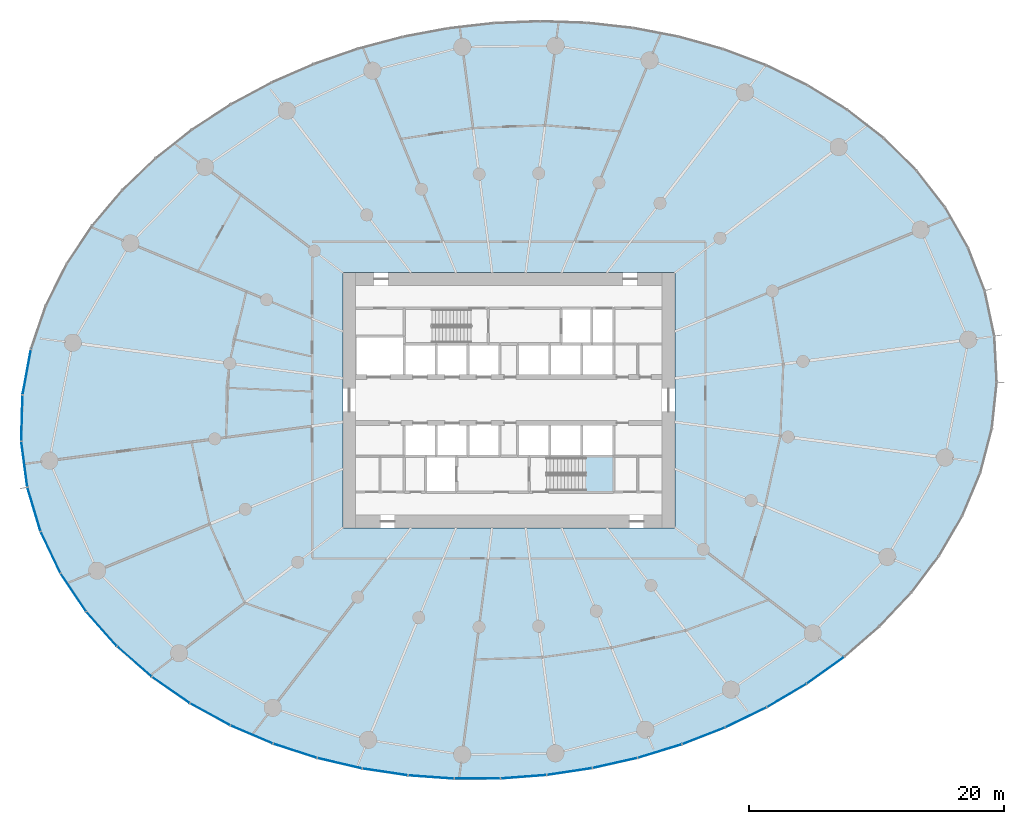
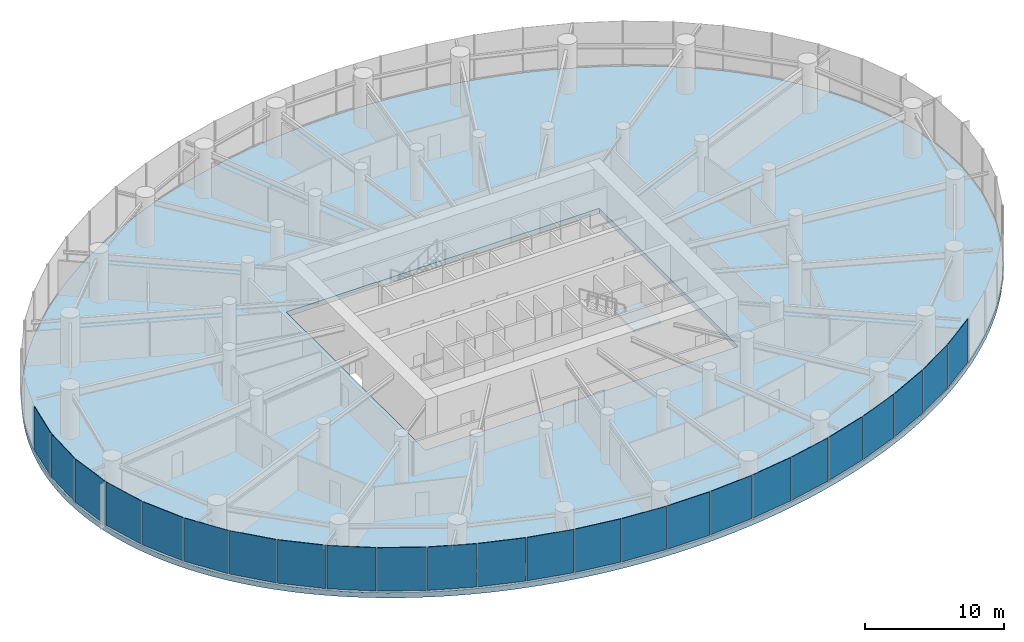
# One storey, part 9 of 18: 24 plates, 2 slabs, 6 elements without a shape of their own.
"""IFC4 building model written with IfcOpenShell, lengths in metres."""

from ifc_helpers import new_model, si_unit, direction, frame, origin, origin_2d, place, context, subcontext, project, spatial, line, indexed_curve, rectangle, outline, extrude, source, transform, mapped, material, layer, layer_set, type_object, element, aggregate, save


model = new_model("IFC4")

# Units and contexts
model_context = context("Model", 3, precision=1e-05, world=origin(), true_north=direction((0.0, 1.0)))
body_context = subcontext(model_context, "Body", "Model", "MODEL_VIEW")
ifc_project = project(units=[si_unit("LENGTHUNIT", "METRE"), si_unit("AREAUNIT", "SQUARE_METRE"), si_unit("VOLUMEUNIT", "CUBIC_METRE"), si_unit("PLANEANGLEUNIT", "RADIAN"), si_unit("MASSUNIT", "GRAM", prefix="KILO")], contexts=[model_context])

# Site, building, storey
site_placement = place(None, origin())
site = spatial("IfcSite", under=ifc_project, at=site_placement, CompositionType="ELEMENT")
building_placement = place(site_placement, origin())
building = spatial("IfcBuilding", under=site, at=building_placement, Name="Spindrift Exchange Tower", CompositionType="ELEMENT")
storey_placement = place(building_placement, frame((0.0, 0.0, 40.199951171875)))
storey = spatial("IfcBuildingStorey", under=building, at=storey_placement, Name="L09", CompositionType="ELEMENT", Elevation=40.199951171875)

# Slab
ifc_material_1 = material(Name="Concrete 50 MPa", Category="concrete")
ifc_layer_1 = layer(ifc_material_1, 0.449951171875)
ifc_layer_set_1 = layer_set([ifc_layer_1], Name="RC Floor Slab 450 Concrete 50 MPa")
slab_type_1 = type_object("IfcSlabType", Name="RC Floor Slab 450 Concrete 50 MPa", PredefinedType="FLOOR", material=ifc_layer_set_1)
slab_1_placement = place(storey_placement, frame((0.0, 0.0, -0.449951171875)))
element("IfcSlab", 1, at=slab_1_placement, inside=storey, type_object=slab_type_1, Name="Floor slab L09", PredefinedType="FLOOR", context=body_context, shape_type="SweptSolid", body=[
    extrude(outline(indexed_curve([(90.019775390625, 53.021484375), (89.93408203125, 53.610107421875), (89.833251953125, 54.196044921875), (89.717041015625, 54.779052734375), (89.585693359375, 55.35888671875), (89.439208984375, 55.935302734375), (89.27783203125, 56.507568359375), (89.101806640625, 57.075439453125), (88.9111328125, 57.638916015625), (88.706298828125, 58.197021484375), (88.4873046875, 58.749755859375), (88.25439453125, 59.296875), (88.0078125, 59.837890625), (87.748291015625, 60.372802734375), (87.475341796875, 60.9013671875), (87.18994140625, 61.4228515625), (86.89208984375, 61.9375), (86.581787109375, 62.44482421875), (86.260009765625, 62.944580078125), (85.926513671875, 63.43701171875), (85.58203125, 63.921630859375), (85.2265625, 64.398193359375), (84.860595703125, 64.866943359375), (84.484130859375, 65.327392578125), (84.097900390625, 65.779541015625), (83.7021484375, 66.22314453125), (83.297119140625, 66.658447265625), (82.883056640625, 67.085205078125), (82.460205078125, 67.50341796875), (82.029052734375, 67.912841796875), (81.58984375, 68.313720703125), (81.142822265625, 68.70556640625), (80.688232421875, 69.0888671875), (80.226318359375, 69.46337890625), (79.757568359375, 69.8291015625), (79.281982421875, 70.186279296875), (78.800048828125, 70.534423828125), (78.311767578125, 70.873779296875), (77.817626953125, 71.20458984375), (77.317626953125, 71.526611328125), (76.812255859375, 71.839599609375), (76.301513671875, 72.144287109375), (75.26513671875, 72.727294921875), (74.739990234375, 73.006103515625), (73.67626953125, 73.537841796875), (73.13818359375, 73.791015625), (72.59619140625, 74.03564453125), (71.50146484375, 74.5), (70.948974609375, 74.7197265625), (69.834228515625, 75.13427734375), (69.272705078125, 75.329345703125), (68.14111328125, 75.695068359375), (66.99951171875, 76.02880859375), (66.425537109375, 76.18359375), (65.849365234375, 76.33056640625), (64.69140625, 76.60107421875), (64.109619140625, 76.724609375), (62.941650390625, 76.948486328125), (62.355712890625, 77.048828125), (61.1796875, 77.22705078125), (60.59033203125, 77.3046875), (59.408447265625, 77.4375), (58.223876953125, 77.540771484375), (57.630615234375, 77.581298828125), (57.036865234375, 77.614501953125), (55.848388671875, 77.65869140625), (55.25390625, 77.669921875), (54.064697265625, 77.6708984375), (52.875732421875, 77.642822265625), (52.28173828125, 77.617919921875), (51.68798828125, 77.586181640625), (50.501708984375, 77.501220703125), (49.318115234375, 77.3876953125), (48.13720703125, 77.24609375), (46.960205078125, 77.076171875), (45.78759765625, 76.87841796875), (44.619873046875, 76.652587890625), (44.038330078125, 76.529296875), (43.4580078125, 76.39892578125), (42.302734375, 76.1171875), (41.727783203125, 75.966064453125), (40.583251953125, 75.642578125), (39.447265625, 75.291259765625), (38.88232421875, 75.10498046875), (38.320068359375, 74.911865234375), (37.20263671875, 74.504638671875), (36.095947265625, 74.069580078125), (35.546875, 73.84130859375), (34.45751953125, 73.3642578125), (33.917724609375, 73.114990234375), (32.847900390625, 72.595703125), (32.318359375, 72.3251953125), (31.792236328125, 72.0478515625), (30.751953125, 71.471923828125), (29.727783203125, 70.86767578125), (29.221923828125, 70.5546875), (28.22412109375, 69.90771484375), (27.732421875, 69.573486328125), (26.763671875, 68.8837890625), (26.287109375, 68.5283203125), (25.350341796875, 67.79541015625), (24.890625, 67.41845703125), (24.436767578125, 67.034423828125), (23.547607421875, 66.24462890625), (22.6845703125, 65.426513671875), (22.26318359375, 65.0068359375), (21.84912109375, 64.580078125), (21.4423828125, 64.146484375), (21.043212890625, 63.705810546875), (20.65185546875, 63.25830078125), (20.268310546875, 62.8037109375), (19.893310546875, 62.34228515625), (19.52685546875, 61.8740234375), (19.1689453125, 61.399169921875), (18.8203125, 60.91748046875), (18.480712890625, 60.42919921875), (18.15087890625, 59.9345703125), (17.830810546875, 59.43359375), (17.5205078125, 58.92626953125), (17.220947265625, 58.41259765625), (16.931884765625, 57.89306640625), (16.653564453125, 57.367431640625), (16.38671875, 56.836181640625), (16.131103515625, 56.29931640625), (15.88720703125, 55.757080078125), (15.655517578125, 55.20947265625), (15.435791015625, 54.656982421875), (15.22900390625, 54.099365234375), (15.03466796875, 53.537353515625), (14.853759765625, 52.970947265625), (14.68603515625, 52.400634765625), (14.53173828125, 51.826416015625), (14.3916015625, 51.24853515625), (14.265380859375, 50.66748046875), (14.1533203125, 50.08349609375), (14.055908203125, 49.496826171875), (13.97314453125, 48.907958984375), (13.905029296875, 48.3173828125), (13.852294921875, 47.72509765625), (13.814208984375, 47.131591796875), (13.791748046875, 46.53759765625), (13.784423828125, 45.94287109375), (13.79248046875, 45.348388671875), (13.81640625, 44.75439453125), (13.85546875, 44.160888671875), (13.91015625, 43.56884765625), (13.980224609375, 42.978515625), (14.06591796875, 42.389892578125), (14.166748046875, 41.803955078125), (14.282958984375, 41.220947265625), (14.414306640625, 40.64111328125), (14.560791015625, 40.064697265625), (14.72216796875, 39.492431640625), (14.898193359375, 38.924560546875), (15.0888671875, 38.361083984375), (15.293701171875, 37.802978515625), (15.5126953125, 37.250244140625), (15.74560546875, 36.703125), (15.9921875, 36.162109375), (16.251708984375, 35.627197265625), (16.524658203125, 35.0986328125), (16.81005859375, 34.5771484375), (17.10791015625, 34.0625), (17.418212890625, 33.55517578125), (17.739990234375, 33.055419921875), (18.073486328125, 32.56298828125), (18.41796875, 32.078369140625), (18.7734375, 31.601806640625), (19.139404296875, 31.133056640625), (19.515869140625, 30.672607421875), (19.902099609375, 30.220458984375), (20.2978515625, 29.77685546875), (20.702880859375, 29.341552734375), (21.116943359375, 28.914794921875), (21.539794921875, 28.49658203125), (21.970947265625, 28.087158203125), (22.41015625, 27.686279296875), (22.857177734375, 27.29443359375), (23.311767578125, 26.9111328125), (23.773681640625, 26.53662109375), (24.242431640625, 26.1708984375), (24.718017578125, 25.813720703125), (25.199951171875, 25.465576171875), (25.688232421875, 25.126220703125), (26.182373046875, 24.79541015625), (26.682373046875, 24.473388671875), (27.187744140625, 24.160400390625), (27.698486328125, 23.855712890625), (28.73486328125, 23.272705078125), (29.260009765625, 22.993896484375), (30.32373046875, 22.462158203125), (30.86181640625, 22.208984375), (31.40380859375, 21.96435546875), (32.49853515625, 21.5), (33.051025390625, 21.2802734375), (34.165771484375, 20.86572265625), (34.727294921875, 20.670654296875), (35.85888671875, 20.304931640625), (37.00048828125, 19.97119140625), (37.574462890625, 19.81640625), (38.150634765625, 19.66943359375), (39.30859375, 19.39892578125), (39.890380859375, 19.275390625), (41.058349609375, 19.051513671875), (41.644287109375, 18.951171875), (42.8203125, 18.77294921875), (43.40966796875, 18.6953125), (44.591552734375, 18.5625), (45.776123046875, 18.459228515625), (46.369384765625, 18.418701171875), (46.963134765625, 18.385498046875), (48.151611328125, 18.34130859375), (48.74609375, 18.330078125), (49.935302734375, 18.3291015625), (51.124267578125, 18.357177734375), (51.71826171875, 18.382080078125), (52.31201171875, 18.413818359375), (53.498291015625, 18.498779296875), (54.681884765625, 18.6123046875), (55.86279296875, 18.75390625), (57.039794921875, 18.923828125), (58.21240234375, 19.12158203125), (59.380126953125, 19.347412109375), (59.961669921875, 19.470703125), (60.5419921875, 19.60107421875), (61.697265625, 19.8828125), (62.272216796875, 20.033935546875), (63.416748046875, 20.357421875), (64.552734375, 20.708740234375), (65.11767578125, 20.89501953125), (65.679931640625, 21.088134765625), (66.79736328125, 21.495361328125), (67.904052734375, 21.930419921875), (68.453125, 22.15869140625), (69.54248046875, 22.6357421875), (70.082275390625, 22.885009765625), (71.152099609375, 23.404296875), (71.681640625, 23.6748046875), (72.207763671875, 23.9521484375), (73.248046875, 24.528076171875), (74.272216796875, 25.13232421875), (74.778076171875, 25.4453125), (75.77587890625, 26.09228515625), (76.267578125, 26.426513671875), (77.236328125, 27.1162109375), (77.712890625, 27.4716796875), (78.649658203125, 28.20458984375), (79.109375, 28.58154296875), (79.563232421875, 28.965576171875), (80.452392578125, 29.75537109375), (81.3154296875, 30.573486328125), (81.73681640625, 30.9931640625), (82.15087890625, 31.419921875), (82.5576171875, 31.853515625), (82.956787109375, 32.294189453125), (83.34814453125, 32.74169921875), (83.731689453125, 33.1962890625), (84.106689453125, 33.65771484375), (84.47314453125, 34.1259765625), (84.8310546875, 34.600830078125), (85.1796875, 35.08251953125), (85.519287109375, 35.57080078125), (85.84912109375, 36.0654296875), (86.169189453125, 36.56640625), (86.4794921875, 37.07373046875), (86.779052734375, 37.58740234375), (87.068115234375, 38.10693359375), (87.346435546875, 38.632568359375), (87.61328125, 39.163818359375), (87.868896484375, 39.70068359375), (88.11279296875, 40.242919921875), (88.344482421875, 40.79052734375), (88.564208984375, 41.343017578125), (88.77099609375, 41.900634765625), (88.96533203125, 42.462646484375), (89.146240234375, 43.029052734375), (89.31396484375, 43.599365234375), (89.46826171875, 44.173583984375), (89.6083984375, 44.75146484375), (89.734619140625, 45.33251953125), (89.8466796875, 45.91650390625), (89.944091796875, 46.503173828125), (90.02685546875, 47.092041015625), (90.094970703125, 47.6826171875), (90.147705078125, 48.27490234375), (90.185791015625, 48.868408203125), (90.208251953125, 49.46240234375), (90.215576171875, 50.05712890625), (90.20751953125, 50.651611328125), (90.18359375, 51.24560546875), (90.14453125, 51.839111328125), (90.08984375, 52.43115234375)], segments=[line(1, 2, 3, 4, 5, 6, 7, 8, 9, 10, 11, 12, 13, 14, 15, 16, 17, 18, 19, 20, 21, 22, 23, 24, 25, 26, 27, 28, 29, 30, 31, 32, 33, 34, 35, 36, 37, 38, 39, 40, 41, 42, 43, 44, 45, 46, 47, 48, 49, 50, 51, 52, 53, 54, 55, 56, 57, 58, 59, 60, 61, 62, 63, 64, 65, 66, 67, 68, 69, 70, 71, 72, 73, 74, 75, 76, 77, 78, 79, 80, 81, 82, 83, 84, 85, 86, 87, 88, 89, 90, 91, 92, 93, 94, 95, 96, 97, 98, 99, 100, 101, 102, 103, 104, 105, 106, 107, 108, 109, 110, 111, 112, 113, 114, 115, 116, 117, 118, 119, 120, 121, 122, 123, 124, 125, 126, 127, 128, 129, 130, 131, 132, 133, 134, 135, 136, 137, 138, 139, 140, 141, 142, 143, 144, 145, 146, 147, 148, 149, 150, 151, 152, 153, 154, 155, 156, 157, 158, 159, 160, 161, 162, 163, 164, 165, 166, 167, 168, 169, 170, 171, 172, 173, 174, 175, 176, 177, 178, 179, 180, 181, 182, 183, 184, 185, 186, 187, 188, 189, 190, 191, 192, 193, 194, 195, 196, 197, 198, 199, 200, 201, 202, 203, 204, 205, 206, 207, 208, 209, 210, 211, 212, 213, 214, 215, 216, 217, 218, 219, 220, 221, 222, 223, 224, 225, 226, 227, 228, 229, 230, 231, 232, 233, 234, 235, 236, 237, 238, 239, 240, 241, 242, 243, 244, 245, 246, 247, 248, 249, 250, 251, 252, 253, 254, 255, 256, 257, 258, 259, 260, 261, 262, 263, 264, 265, 266, 267, 268, 269, 270, 271, 272, 273, 274, 275, 276, 277, 278, 279, 280, 281, 282, 283, 284, 285, 286, 287, 288, 289, 290, 291, 292, 1)], self_intersect=False), holes=[indexed_curve([(39.0, 38.0), (65.0, 38.0), (65.0, 58.0), (39.0, 58.0)], segments=[line(1, 2, 3, 4, 1)], self_intersect=False)]), origin(), (0.0, 0.0, 1.0), 0.449951171875),
])

# Stair, slab
stair_type = type_object("IfcStairType", Name="ST-1250-R183", PredefinedType="HALF_TURN_STAIR", material=ifc_material_1)
stair_placement = place(storey_placement, origin())
stair = element("IfcStair", 2, at=stair_placement, inside=storey, type_object=stair_type, Name="L09 Exit stair ST2", PredefinedType="HALF_TURN_STAIR")
ifc_layer_2 = layer(ifc_material_1, 0.199951171875)
ifc_layer_set_2 = layer_set([ifc_layer_2], Name="SL-LANDING")
slab_type_2 = type_object("IfcSlabType", Name="SL-LANDING", PredefinedType="LANDING", material=ifc_layer_set_2)
slab_2_placement = place(storey_placement, frame((0.0, 0.0, 2.0)))
slab_2 = element("IfcSlab", 3, at=slab_2_placement, type_object=slab_type_2, Name="ST2 landing 1", PredefinedType="LANDING", context=body_context, shape_type="SweptSolid", body=[
    extrude(outline(indexed_curve([(57.949951171875, 43.60009765625), (60.199951171875, 43.60009765625), (60.199951171875, 40.800048828125), (57.949951171875, 40.800048828125)], segments=[line(1, 2, 3, 4, 1)], self_intersect=False)), origin(), (0.0, 0.0, 1.0), 0.199951171875),
])
aggregate(stair, [slab_2])

# Curtain wall, plates
ifc_material_2 = material(Name="Fritted laminated glass with bronze frame", Category="glass")
ifc_layer_3 = layer(ifc_material_2, 0.199951171875)
ifc_layer_set_3 = layer_set([ifc_layer_3], Name="ZONE 1 BRONZE FRITTED WALL")
curtain_wall_type = type_object("IfcCurtainWallType", Name="ZONE 1 BRONZE FRITTED WALL", PredefinedType="NOTDEFINED", material=ifc_layer_set_3)
curtain_wall_1_placement = place(storey_placement, origin())
curtain_wall_1 = element("IfcCurtainWall", 4, at=curtain_wall_1_placement, inside=storey, type_object=curtain_wall_type, Name="L09 Zone 1 Bronze Fritted Wall run 7", PredefinedType="NOTDEFINED")
ifc_material_3 = material(Name="Bronze fritted laminated glass, dense frit", Category="glass")
ifc_layer_4 = layer(ifc_material_3, 0.035888671875)
ifc_layer_set_4 = layer_set([ifc_layer_4], Name="ZONE 1 BRONZE FRITTED WALL PANEL DENSE FRIT 300")
plate_type_1 = type_object("IfcPlateType", Name="ZONE 1 BRONZE FRITTED WALL PANEL DENSE FRIT 300", PredefinedType="CURTAIN_PANEL", material=ifc_layer_set_4)
shared_shape_1 = source(origin(), body_context, "Body", "SweptSolid", [
    extrude(rectangle(XDim=3.546875, YDim=0.035888671875, at=origin_2d()), origin(), (0.0, 0.0, 1.0), 3.800048828125),
])
plate_1_placement = place(storey_placement, frame((31.864013671875, 21.810302734375, 0.14990234375), z_axis=(0.0, 0.0, 1.0), x_axis=(0.919415629997, -0.393287298699, 0.0)))
plate_1 = element("IfcPlate", 5, at=plate_1_placement, type_object=plate_type_1, Name="L09 panel CW-1.38", PredefinedType="CURTAIN_PANEL", context=body_context, shape_type="MappedRepresentation", body=[
    mapped(shared_shape_1, transform((0.0, 0.0, 0.0), scale=1.0)),
])
ifc_layer_5 = layer(ifc_material_3, 0.035888671875)
ifc_layer_set_5 = layer_set([ifc_layer_5], Name="ZONE 1 BRONZE FRITTED WALL PANEL DENSE FRIT 420")
plate_type_2 = type_object("IfcPlateType", Name="ZONE 1 BRONZE FRITTED WALL PANEL DENSE FRIT 420", PredefinedType="CURTAIN_PANEL", material=ifc_layer_set_5)
shared_shape_2 = source(origin(), body_context, "Body", "SweptSolid", [
    extrude(rectangle(XDim=3.547119140625, YDim=0.035888671875, at=origin_2d()), origin(), (0.0, 0.0, 1.0), 3.800048828125),
])
plate_2_placement = place(storey_placement, frame((35.256103515625, 20.536865234375, 0.14990234375), z_axis=(0.0, 0.0, 1.0), x_axis=(0.951086714591, -0.308924038121, 0.0)))
plate_2 = element("IfcPlate", 6, at=plate_2_placement, type_object=plate_type_2, Name="L09 panel CW-1.39", PredefinedType="CURTAIN_PANEL", context=body_context, shape_type="MappedRepresentation", body=[
    mapped(shared_shape_2, transform((0.0, 0.0, 0.0), scale=1.0)),
])

curtain_wall_2_placement = place(storey_placement, origin())
curtain_wall_2 = element("IfcCurtainWall", 7, at=curtain_wall_2_placement, inside=storey, type_object=curtain_wall_type, Name="L09 Zone 1 Bronze Fritted Wall run 9", PredefinedType="NOTDEFINED")
plate_3_placement = place(storey_placement, frame((73.760009765625, 24.8701171875, 0.14990234375), z_axis=(0.0, 0.0, 1.0), x_axis=(0.860923215196, 0.508734918731, 0.0)))
plate_3 = element("IfcPlate", 8, at=plate_3_placement, type_object=plate_type_2, Name="L09 panel CW-1.50", PredefinedType="CURTAIN_PANEL", context=body_context, shape_type="MappedRepresentation", body=[
    mapped(shared_shape_2, transform((0.0, 0.0, 0.0), scale=1.0)),
])
plate_4_placement = place(storey_placement, frame((76.79638671875, 26.847900390625, 0.14990234375), z_axis=(0.0, 0.0, 1.0), x_axis=(0.813298833221, 0.581846206383, 0.0)))
plate_4 = element("IfcPlate", 9, at=plate_4_placement, type_object=plate_type_2, Name="L09 panel CW-1.51", PredefinedType="CURTAIN_PANEL", context=body_context, shape_type="MappedRepresentation", body=[
    mapped(shared_shape_2, transform((0.0, 0.0, 0.0), scale=1.0)),
])

# Curtain wall, plate
curtain_wall_3_placement = place(storey_placement, origin())
curtain_wall_3 = element("IfcCurtainWall", 10, at=curtain_wall_3_placement, inside=storey, type_object=curtain_wall_type, Name="L09 Zone 1 Bronze Fritted Wall run 8", PredefinedType="NOTDEFINED")
shared_shape_3 = source(origin(), body_context, "Body", "SweptSolid", [
    extrude(rectangle(XDim=3.54736328125, YDim=0.035888671875, at=origin_2d()), origin(), (0.0, 0.0, 1.0), 3.800048828125),
])
plate_5_placement = place(storey_placement, frame((49.531982421875, 18.35986328125, 0.14990234375), z_axis=(0.0, 0.0, 1.0), x_axis=(0.999994971549, 0.003171257935, 0.0)))
plate_5 = element("IfcPlate", 11, at=plate_5_placement, type_object=plate_type_1, Name="L09 panel CW-1.43", PredefinedType="CURTAIN_PANEL", context=body_context, shape_type="MappedRepresentation", body=[
    mapped(shared_shape_3, transform((0.0, 0.0, 0.0), scale=1.0)),
])

# Plate
ifc_layer_6 = layer(ifc_material_3, 0.035888671875)
ifc_layer_set_6 = layer_set([ifc_layer_6], Name="ZONE 1 BRONZE FRITTED WALL PANEL DENSE FRIT 180")
plate_type_3 = type_object("IfcPlateType", Name="ZONE 1 BRONZE FRITTED WALL PANEL DENSE FRIT 180", PredefinedType="CURTAIN_PANEL", material=ifc_layer_set_6)
shared_shape_4 = source(origin(), body_context, "Body", "SweptSolid", [
    extrude(rectangle(XDim=3.54736328125, YDim=0.035888671875, at=origin_2d()), origin(), (0.0, 0.0, 1.0), 3.800048828125),
])
plate_6_placement = place(storey_placement, frame((42.306884765625, 18.883056640625, 0.14990234375), z_axis=(0.0, 0.0, 1.0), x_axis=(0.988935487106, -0.148346224565, 0.0)))
plate_6 = element("IfcPlate", 12, at=plate_6_placement, type_object=plate_type_3, Name="L09 panel CW-1.41", PredefinedType="CURTAIN_PANEL", context=body_context, shape_type="MappedRepresentation", body=[
    mapped(shared_shape_4, transform((0.0, 0.0, 0.0), scale=1.0)),
])

plate_7_placement = place(storey_placement, frame((60.318359375, 19.584228515625, 0.14990234375), z_axis=(0.0, 0.0, 1.0), x_axis=(0.9753330751, 0.220738289871, 0.0)))
plate_7 = element("IfcPlate", 13, at=plate_7_placement, type_object=plate_type_3, Name="L09 panel CW-1.46", PredefinedType="CURTAIN_PANEL", context=body_context, shape_type="MappedRepresentation", body=[
    mapped(shared_shape_4, transform((0.0, 0.0, 0.0), scale=1.0)),
])

plate_8_placement = place(storey_placement, frame((67.24560546875, 21.705078125, 0.14990234375), z_axis=(0.0, 0.0, 1.0), x_axis=(0.931381501102, 0.364044639302, 0.0)))
plate_8 = element("IfcPlate", 14, at=plate_8_placement, type_object=plate_type_3, Name="L09 panel CW-1.48", PredefinedType="CURTAIN_PANEL", context=body_context, shape_type="MappedRepresentation", body=[
    mapped(shared_shape_4, transform((0.0, 0.0, 0.0), scale=1.0)),
])

plate_9_placement = place(storey_placement, frame((70.56689453125, 23.156494140625, 0.14990234375), z_axis=(0.0, 0.0, 1.0), x_axis=(0.899878490885, 0.436140690194, 0.0)))
plate_9 = element("IfcPlate", 15, at=plate_9_placement, type_object=plate_type_3, Name="L09 panel CW-1.49", PredefinedType="CURTAIN_PANEL", context=body_context, shape_type="MappedRepresentation", body=[
    mapped(shared_shape_4, transform((0.0, 0.0, 0.0), scale=1.0)),
])

aggregate(curtain_wall_2, [plate_9, plate_3, plate_4])

shared_shape_5 = source(origin(), body_context, "Body", "SweptSolid", [
    extrude(rectangle(XDim=3.54736328125, YDim=0.035888671875, at=origin_2d()), origin(), (0.0, 0.0, 1.0), 3.800048828125),
])
plate_10_placement = place(storey_placement, frame((45.909423828125, 18.48388671875, 0.14990234375), z_axis=(0.0, 0.0, 1.0), x_axis=(0.997429789947, -0.071650639395, 0.0)))
plate_10 = element("IfcPlate", 16, at=plate_10_placement, type_object=plate_type_2, Name="L09 panel CW-1.42", PredefinedType="CURTAIN_PANEL", context=body_context, shape_type="MappedRepresentation", body=[
    mapped(shared_shape_5, transform((0.0, 0.0, 0.0), scale=1.0)),
])

plate_11_placement = place(storey_placement, frame((56.755859375, 18.91357421875, 0.14990234375), z_axis=(0.0, 0.0, 1.0), x_axis=(0.988840523183, 0.148977916856, 0.0)))
plate_11 = element("IfcPlate", 17, at=plate_11_placement, type_object=plate_type_2, Name="L09 panel CW-1.45", PredefinedType="CURTAIN_PANEL", context=body_context, shape_type="MappedRepresentation", body=[
    mapped(shared_shape_5, transform((0.0, 0.0, 0.0), scale=1.0)),
])

shared_shape_6 = source(origin(), body_context, "Body", "SweptSolid", [
    extrude(rectangle(XDim=3.547119140625, YDim=0.035888671875, at=origin_2d()), origin(), (0.0, 0.0, 1.0), 3.800048828125),
])
plate_12_placement = place(storey_placement, frame((38.7470703125, 19.564453125, 0.14990234375), z_axis=(0.0, 0.0, 1.0), x_axis=(0.973821861744, -0.227312519651, 0.0)))
plate_12 = element("IfcPlate", 18, at=plate_12_placement, type_object=plate_type_3, Name="L09 panel CW-1.40", PredefinedType="CURTAIN_PANEL", context=body_context, shape_type="MappedRepresentation", body=[
    mapped(shared_shape_6, transform((0.0, 0.0, 0.0), scale=1.0)),
])

# Curtain wall, plate
curtain_wall_4_placement = place(storey_placement, origin())
curtain_wall_4 = element("IfcCurtainWall", 19, at=curtain_wall_4_placement, inside=storey, type_object=curtain_wall_type, Name="L09 Zone 1 Bronze Fritted Wall run 6", PredefinedType="NOTDEFINED")
shared_shape_7 = source(origin(), body_context, "Body", "SweptSolid", [
    extrude(rectangle(XDim=3.545654296875, YDim=0.035888671875, at=origin_2d()), origin(), (0.0, 0.0, 1.0), 3.800048828125),
])
plate_13_placement = place(storey_placement, frame((20.10595703125, 30.078125, 0.14990234375), z_axis=(0.0, 0.0, 1.0), x_axis=(0.663823099185, -0.747889626207, 0.0)))
plate_13 = element("IfcPlate", 20, at=plate_13_placement, type_object=plate_type_3, Name="L09 panel CW-1.34", PredefinedType="CURTAIN_PANEL", context=body_context, shape_type="MappedRepresentation", body=[
    mapped(shared_shape_7, transform((0.0, 0.0, 0.0), scale=1.0)),
])

curtain_wall_5_placement = place(storey_placement, origin())
curtain_wall_5 = element("IfcCurtainWall", 21, at=curtain_wall_5_placement, inside=storey, type_object=curtain_wall_type, Name="L09 Zone 1 Bronze Fritted Wall run 5", PredefinedType="NOTDEFINED")
shared_shape_8 = source(origin(), body_context, "Body", "SweptSolid", [
    extrude(rectangle(XDim=3.54443359375, YDim=0.035888671875, at=origin_2d()), origin(), (0.0, 0.0, 1.0), 3.800048828125),
])
plate_14_placement = place(storey_placement, frame((13.864501953125, 46.59619140625, 0.14990234375), z_axis=(0.0, 0.0, 1.0), x_axis=(-0.027534324609, -0.99962085861, 0.0)))
plate_14 = element("IfcPlate", 22, at=plate_14_placement, type_object=plate_type_3, Name="L09 panel CW-1.29", PredefinedType="CURTAIN_PANEL", context=body_context, shape_type="MappedRepresentation", body=[
    mapped(shared_shape_8, transform((0.0, 0.0, 0.0), scale=1.0)),
])

# Plate
plate_15_placement = place(storey_placement, frame((14.807861328125, 39.454833984375, 0.14990234375), z_axis=(0.0, 0.0, 1.0), x_axis=(0.286114849144, -0.958195331391, 0.0)))
plate_15 = element("IfcPlate", 23, at=plate_15_placement, type_object=plate_type_3, Name="L09 panel CW-1.31", PredefinedType="CURTAIN_PANEL", context=body_context, shape_type="MappedRepresentation", body=[
    mapped(shared_shape_8, transform((0.0, 0.0, 0.0), scale=1.0)),
])

shared_shape_9 = source(origin(), body_context, "Body", "SweptSolid", [
    extrude(rectangle(XDim=3.54443359375, YDim=0.035888671875, at=origin_2d()), origin(), (0.0, 0.0, 1.0), 3.800048828125),
])
plate_16_placement = place(storey_placement, frame((14.052001953125, 42.98779296875, 0.14990234375), z_axis=(0.0, 0.0, 1.0), x_axis=(0.130944936813, -0.991389642635, 0.0)))
plate_16 = element("IfcPlate", 24, at=plate_16_placement, type_object=plate_type_2, Name="L09 panel CW-1.30", PredefinedType="CURTAIN_PANEL", context=body_context, shape_type="MappedRepresentation", body=[
    mapped(shared_shape_9, transform((0.0, 0.0, 0.0), scale=1.0)),
])

shared_shape_10 = source(origin(), body_context, "Body", "SweptSolid", [
    extrude(rectangle(XDim=3.544921875, YDim=0.035888671875, at=origin_2d()), origin(), (0.0, 0.0, 1.0), 3.800048828125),
])
plate_17_placement = place(storey_placement, frame((16.10546875, 36.08203125, 0.14990234375), z_axis=(0.0, 0.0, 1.0), x_axis=(0.429917112352, -0.902868360564, 0.0)))
plate_17 = element("IfcPlate", 25, at=plate_17_placement, type_object=plate_type_2, Name="L09 panel CW-1.32", PredefinedType="CURTAIN_PANEL", context=body_context, shape_type="MappedRepresentation", body=[
    mapped(shared_shape_10, transform((0.0, 0.0, 0.0), scale=1.0)),
])

shared_shape_11 = source(origin(), body_context, "Body", "SweptSolid", [
    extrude(rectangle(XDim=3.545166015625, YDim=0.035888671875, at=origin_2d()), origin(), (0.0, 0.0, 1.0), 3.800048828125),
])
plate_18_placement = place(storey_placement, frame((17.893798828125, 32.939697265625, 0.14990234375), z_axis=(0.0, 0.0, 1.0), x_axis=(0.556640748774, -0.830753318864, 0.0)))
plate_18 = element("IfcPlate", 26, at=plate_18_placement, type_object=plate_type_1, Name="L09 panel CW-1.33", PredefinedType="CURTAIN_PANEL", context=body_context, shape_type="MappedRepresentation", body=[
    mapped(shared_shape_11, transform((0.0, 0.0, 0.0), scale=1.0)),
])

shared_shape_12 = source(origin(), body_context, "Body", "SweptSolid", [
    extrude(rectangle(XDim=3.5458984375, YDim=0.035888671875, at=origin_2d()), origin(), (0.0, 0.0, 1.0), 3.800048828125),
])
plate_19_placement = place(storey_placement, frame((22.672119140625, 27.526611328125, 0.14990234375), z_axis=(0.0, 0.0, 1.0), x_axis=(0.751674072058, -0.659534752227, 0.0)))
plate_19 = element("IfcPlate", 27, at=plate_19_placement, type_object=plate_type_2, Name="L09 panel CW-1.35", PredefinedType="CURTAIN_PANEL", context=body_context, shape_type="MappedRepresentation", body=[
    mapped(shared_shape_12, transform((0.0, 0.0, 0.0), scale=1.0)),
])

shared_shape_13 = source(origin(), body_context, "Body", "SweptSolid", [
    extrude(rectangle(XDim=3.54638671875, YDim=0.035888671875, at=origin_2d()), origin(), (0.0, 0.0, 1.0), 3.800048828125),
])
plate_20_placement = place(storey_placement, frame((25.525390625, 25.298095703125, 0.14990234375), z_axis=(0.0, 0.0, 1.0), x_axis=(0.821964161993, -0.569539214101, 0.0)))
plate_20 = element("IfcPlate", 28, at=plate_20_placement, type_object=plate_type_2, Name="L09 panel CW-1.36", PredefinedType="CURTAIN_PANEL", context=body_context, shape_type="MappedRepresentation", body=[
    mapped(shared_shape_13, transform((0.0, 0.0, 0.0), scale=1.0)),
])

aggregate(curtain_wall_4, [plate_15, plate_17, plate_18, plate_13, plate_19, plate_20])

shared_shape_14 = source(origin(), body_context, "Body", "SweptSolid", [
    extrude(rectangle(XDim=3.546630859375, YDim=0.035888671875, at=origin_2d()), origin(), (0.0, 0.0, 1.0), 3.800048828125),
])
plate_21_placement = place(storey_placement, frame((28.606201171875, 23.39453125, 0.14990234375), z_axis=(0.0, 0.0, 1.0), x_axis=(0.877087486791, -0.480330657479, 0.0)))
plate_21 = element("IfcPlate", 29, at=plate_21_placement, type_object=plate_type_1, Name="L09 panel CW-1.37", PredefinedType="CURTAIN_PANEL", context=body_context, shape_type="MappedRepresentation", body=[
    mapped(shared_shape_14, transform((0.0, 0.0, 0.0), scale=1.0)),
])

aggregate(curtain_wall_1, [plate_21, plate_1, plate_2, plate_12, plate_6, plate_10])

shared_shape_15 = source(origin(), body_context, "Body", "SweptSolid", [
    extrude(rectangle(XDim=3.544677734375, YDim=0.035888671875, at=origin_2d()), origin(), (0.0, 0.0, 1.0), 3.800048828125),
])
plate_22_placement = place(storey_placement, frame((14.2421875, 50.190185546875, 0.14990234375), z_axis=(0.0, 0.0, 1.0), x_axis=(-0.180759471708, -0.983527332303, 0.0)))
plate_22 = element("IfcPlate", 30, at=plate_22_placement, type_object=plate_type_3, Name="L09 panel CW-1.28", PredefinedType="CURTAIN_PANEL", context=body_context, shape_type="MappedRepresentation", body=[
    mapped(shared_shape_15, transform((0.0, 0.0, 0.0), scale=1.0)),
])

aggregate(curtain_wall_5, [plate_22, plate_14, plate_16])

shared_shape_16 = source(origin(), body_context, "Body", "SweptSolid", [
    extrude(rectangle(XDim=3.547607421875, YDim=0.035888671875, at=origin_2d()), origin(), (0.0, 0.0, 1.0), 3.800048828125),
])
plate_23_placement = place(storey_placement, frame((53.154052734375, 18.50439453125, 0.14990234375), z_axis=(0.0, 0.0, 1.0), x_axis=(0.997063187185, 0.07658329296, 0.0)))
plate_23 = element("IfcPlate", 31, at=plate_23_placement, type_object=plate_type_1, Name="L09 panel CW-1.44", PredefinedType="CURTAIN_PANEL", context=body_context, shape_type="MappedRepresentation", body=[
    mapped(shared_shape_16, transform((0.0, 0.0, 0.0), scale=1.0)),
])

plate_24_placement = place(storey_placement, frame((63.82177734375, 20.5146484375, 0.14990234375), z_axis=(0.0, 0.0, 1.0), x_axis=(0.956318532593, 0.292326639598, 0.0)))
plate_24 = element("IfcPlate", 32, at=plate_24_placement, type_object=plate_type_1, Name="L09 panel CW-1.47", PredefinedType="CURTAIN_PANEL", context=body_context, shape_type="MappedRepresentation", body=[
    mapped(shared_shape_16, transform((0.0, 0.0, 0.0), scale=1.0)),
])

aggregate(curtain_wall_3, [plate_5, plate_23, plate_11, plate_7, plate_24, plate_8])

save(model, "model.ifc")
